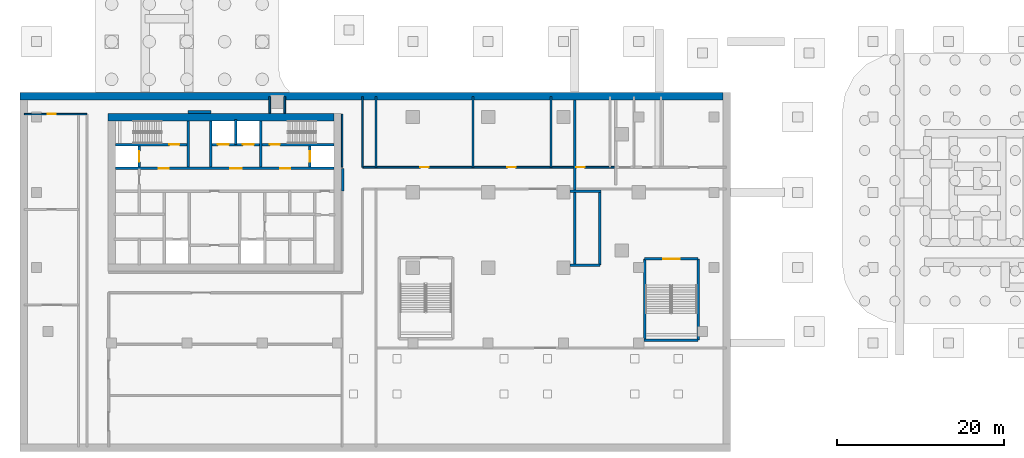
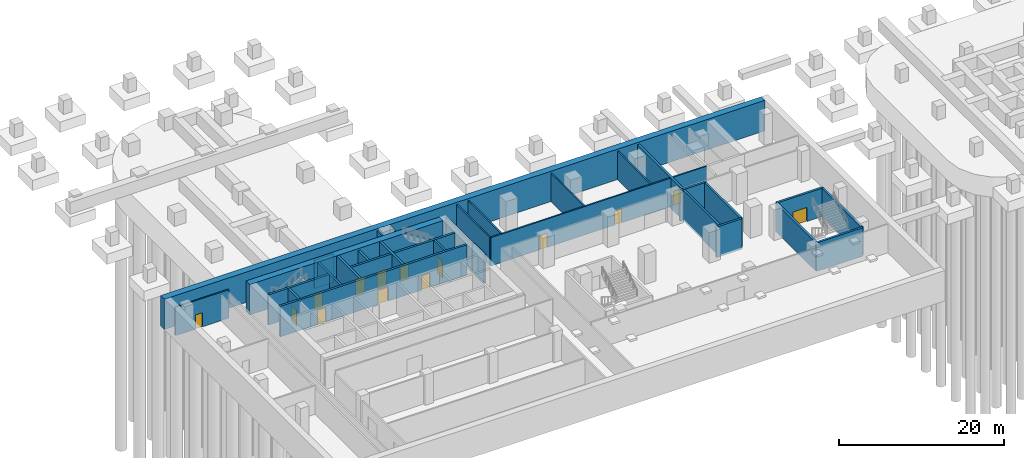
# One storey, part 7 of 14: 30 walls, 14 doors, 14 openings.
"""IFC4 building model written with IfcOpenShell, lengths in metres."""

from ifc_helpers import new_model, si_unit, direction, frame, frame_2d, origin, place, context, subcontext, project, spatial, rectangle, extrude, material, layer, layer_set, type_object, element, fill, save


model = new_model("IFC4")

# Units and contexts
model_context = context("Model", 3, precision=1e-05, world=origin(), true_north=direction((0.0, 1.0)))
body_context = subcontext(model_context, "Body", "Model", "MODEL_VIEW")
ifc_project = project(units=[si_unit("LENGTHUNIT", "METRE"), si_unit("AREAUNIT", "SQUARE_METRE"), si_unit("VOLUMEUNIT", "CUBIC_METRE"), si_unit("PLANEANGLEUNIT", "RADIAN"), si_unit("MASSUNIT", "GRAM", prefix="KILO")], contexts=[model_context])

# Site, building, storey
site_placement = place(None, origin())
site = spatial("IfcSite", under=ifc_project, at=site_placement, CompositionType="ELEMENT")
building_placement = place(site_placement, origin())
building = spatial("IfcBuilding", under=site, at=building_placement, Name="Ogive Portal Towers", CompositionType="ELEMENT")
storey_placement = place(building_placement, frame((0.0, 0.0, -4.5)))
storey = spatial("IfcBuildingStorey", under=building, at=storey_placement, Name="B1", CompositionType="ELEMENT", Elevation=-4.5)

# Wall, openings, doors
ifc_material_1 = material(Name="Concrete C60/75", Category="concrete")
ifc_layer_1 = layer(ifc_material_1, 0.300048828125)
ifc_layer_set_1 = layer_set([ifc_layer_1], Name="CORE WALL 300 C60")
wall_type_1 = type_object("IfcWallType", Name="CORE WALL 300 C60", PredefinedType="SHEAR", material=ifc_layer_set_1)
wall_1_placement = place(storey_placement, frame((31.949951171875, 33.35009765625, 0.0), z_axis=(0.0, 0.0, 1.0), x_axis=(1.0, 0.0, 0.0)))
wall_1 = element("IfcWall", 1, at=wall_1_placement, inside=storey, type_object=wall_type_1, Name="Core wall Y2 B1", PredefinedType="SHEAR", context=body_context, shape_type="SweptSolid", body=[
    extrude(rectangle(XDim=26.10009765625, YDim=0.300048828125, at=frame_2d((13.050048828125, 0.0))), origin(), (0.0, 0.0, 1.0), 4.5),
])
opening_1_placement = place(wall_1_placement, frame((13.699951171875, 0.0, 0.0)))
opening_1 = element("IfcOpeningElement", 2, at=opening_1_placement, cuts=wall_1, Name="Opening D101-001", PredefinedType="OPENING", context=body_context, shape_type="SweptSolid", body=[
    extrude(rectangle(XDim=1.39990234375, YDim=2.10009765625, at=frame_2d((0.699951171875, 1.050048828125))), frame((0.0, 0.16015625, 0.0), z_axis=(0.0, -1.0, 0.0), x_axis=(1.0, 0.0, 0.0)), (0.0, 0.0, 1.0), 0.320068359375),
])
opening_2_placement = place(wall_1_placement, frame((5.175048828125, 0.0, 0.0)))
opening_2 = element("IfcOpeningElement", 3, at=opening_2_placement, cuts=wall_1, Name="Opening D101-002", PredefinedType="OPENING", context=body_context, shape_type="SweptSolid", body=[
    extrude(rectangle(XDim=1.199951171875, YDim=2.10009765625, at=frame_2d((0.60009765625, 1.050048828125))), frame((0.0, 0.16015625, 0.0), z_axis=(0.0, -1.0, 0.0), x_axis=(1.0, 0.0, 0.0)), (0.0, 0.0, 1.0), 0.320068359375),
])
opening_3_placement = place(wall_1_placement, frame((19.72509765625, 0.0, 0.0)))
opening_3 = element("IfcOpeningElement", 4, at=opening_3_placement, cuts=wall_1, Name="Opening D101-003", PredefinedType="OPENING", context=body_context, shape_type="SweptSolid", body=[
    extrude(rectangle(XDim=1.199951171875, YDim=2.10009765625, at=frame_2d((0.60009765625, 1.050048828125))), frame((0.0, 0.16015625, 0.0), z_axis=(0.0, -1.0, 0.0), x_axis=(1.0, 0.0, 0.0)), (0.0, 0.0, 1.0), 0.320068359375),
])
ifc_material_2 = material(Name="Steel fire door", Category="steel")
door_type_1 = type_object("IfcDoorType", Name="DT-SWING-1200x2100-FD90S", OperationType="SINGLE_SWING_LEFT", PredefinedType="DOOR", material=ifc_material_2)
door_1_placement = place(opening_2_placement, origin())
door_1 = element("IfcDoor", 5, at=door_1_placement, inside=storey, type_object=door_type_1, Name="Door D101-002", OperationType="SINGLE_SWING_LEFT", OverallHeight=2.10009765625, OverallWidth=1.199951171875, PredefinedType="DOOR", context=body_context, shape_type="SweptSolid", body=[
    extrude(rectangle(XDim=1.199951171875, YDim=2.10009765625, at=frame_2d((0.60009765625, 1.050048828125))), frame((0.0, 0.02490234375, 0.0), z_axis=(0.0, -1.0, 0.0), x_axis=(1.0, 0.0, 0.0)), (0.0, 0.0, 1.0), 0.050048828125),
])
fill(opening_2, door_1)
door_2_placement = place(opening_3_placement, origin())
door_2 = element("IfcDoor", 6, at=door_2_placement, inside=storey, type_object=door_type_1, Name="Door D101-003", OperationType="SINGLE_SWING_RIGHT", OverallHeight=2.10009765625, OverallWidth=1.199951171875, PredefinedType="DOOR", context=body_context, shape_type="SweptSolid", body=[
    extrude(rectangle(XDim=1.199951171875, YDim=2.10009765625, at=frame_2d((0.60009765625, 1.050048828125))), frame((0.0, 0.02490234375, 0.0), z_axis=(0.0, -1.0, 0.0), x_axis=(1.0, 0.0, 0.0)), (0.0, 0.0, 1.0), 0.050048828125),
])
fill(opening_3, door_2)
door_type_2 = type_object("IfcDoorType", Name="DT-SWING-1400x2100-FD90S", OperationType="SINGLE_SWING_LEFT", PredefinedType="DOOR", material=ifc_material_2)
door_3_placement = place(opening_1_placement, origin())
door_3 = element("IfcDoor", 7, at=door_3_placement, inside=storey, type_object=door_type_2, Name="Door D101-001", OperationType="SINGLE_SWING_RIGHT", OverallHeight=2.10009765625, OverallWidth=1.39990234375, PredefinedType="DOOR", context=body_context, shape_type="SweptSolid", body=[
    extrude(rectangle(XDim=1.39990234375, YDim=2.10009765625, at=frame_2d((0.699951171875, 1.050048828125))), frame((0.0, 0.02490234375, 0.0), z_axis=(0.0, -1.0, 0.0), x_axis=(1.0, 0.0, 0.0)), (0.0, 0.0, 1.0), 0.050048828125),
])
fill(opening_1, door_3)

# Wall, opening, door
wall_2_placement = place(storey_placement, frame((31.949951171875, 36.199951171875, 0.0), z_axis=(0.0, 0.0, 1.0), x_axis=(1.0, 0.0, 0.0)))
wall_2 = element("IfcWall", 8, at=wall_2_placement, inside=storey, type_object=wall_type_1, Name="Core wall Y3a B1", PredefinedType="SHEAR", context=body_context, shape_type="SweptSolid", body=[
    extrude(rectangle(XDim=8.550048828125, YDim=0.300048828125, at=frame_2d((4.27490234375, 0.0))), origin(), (0.0, 0.0, 1.0), 4.5),
])
opening_4_placement = place(wall_2_placement, frame((6.449951171875, 0.0, 0.0)))
opening_4 = element("IfcOpeningElement", 9, at=opening_4_placement, cuts=wall_2, Name="Opening D101-004", PredefinedType="OPENING", context=body_context, shape_type="SweptSolid", body=[
    extrude(rectangle(XDim=1.199951171875, YDim=2.10009765625, at=frame_2d((0.60009765625, 1.050048828125))), frame((0.0, 0.16015625, 0.0), z_axis=(0.0, -1.0, 0.0), x_axis=(1.0, 0.0, 0.0)), (0.0, 0.0, 1.0), 0.320068359375),
])
door_4_placement = place(opening_4_placement, origin())
door_4 = element("IfcDoor", 10, at=door_4_placement, inside=storey, type_object=door_type_1, Name="Door D101-004", OperationType="SINGLE_SWING_RIGHT", OverallHeight=2.10009765625, OverallWidth=1.199951171875, PredefinedType="DOOR", context=body_context, shape_type="SweptSolid", body=[
    extrude(rectangle(XDim=1.199951171875, YDim=2.10009765625, at=frame_2d((0.60009765625, 1.050048828125))), frame((0.0, 0.02490234375, 0.0), z_axis=(0.0, -1.0, 0.0), x_axis=(1.0, 0.0, 0.0)), (0.0, 0.0, 1.0), 0.050048828125),
])
fill(opening_4, door_4)

# Wall, openings, doors
wall_3_placement = place(storey_placement, frame((43.5, 36.199951171875, 0.0), z_axis=(0.0, 0.0, 1.0), x_axis=(1.0, 0.0, 0.0)))
wall_3 = element("IfcWall", 11, at=wall_3_placement, inside=storey, type_object=wall_type_1, Name="Core wall Y3b B1", PredefinedType="SHEAR", context=body_context, shape_type="SweptSolid", body=[
    extrude(rectangle(XDim=14.550048828125, YDim=0.300048828125, at=frame_2d((7.27490234375, 0.0))), origin(), (0.0, 0.0, 1.0), 4.5),
])
opening_5_placement = place(wall_3_placement, frame((6.89990234375, 0.0, 0.0)))
opening_5 = element("IfcOpeningElement", 12, at=opening_5_placement, cuts=wall_3, Name="Opening D101-005", PredefinedType="OPENING", context=body_context, shape_type="SweptSolid", body=[
    extrude(rectangle(XDim=1.199951171875, YDim=2.10009765625, at=frame_2d((0.60009765625, 1.050048828125))), frame((0.0, 0.16015625, 0.0), z_axis=(0.0, -1.0, 0.0), x_axis=(1.0, 0.0, 0.0)), (0.0, 0.0, 1.0), 0.320068359375),
])
opening_6_placement = place(wall_3_placement, frame((0.699951171875, 0.0, 0.0)))
opening_6 = element("IfcOpeningElement", 13, at=opening_6_placement, cuts=wall_3, Name="Opening D101-010", PredefinedType="OPENING", context=body_context, shape_type="SweptSolid", body=[
    extrude(rectangle(XDim=1.300048828125, YDim=2.39990234375, at=frame_2d((0.64990234375, 1.199951171875))), frame((0.0, 0.16015625, 0.0), z_axis=(0.0, -1.0, 0.0), x_axis=(1.0, 0.0, 0.0)), (0.0, 0.0, 1.0), 0.320068359375),
])
opening_7_placement = place(wall_3_placement, frame((3.699951171875, 0.0, 0.0)))
opening_7 = element("IfcOpeningElement", 14, at=opening_7_placement, cuts=wall_3, Name="Opening D101-011", PredefinedType="OPENING", context=body_context, shape_type="SweptSolid", body=[
    extrude(rectangle(XDim=1.300048828125, YDim=2.39990234375, at=frame_2d((0.64990234375, 1.199951171875))), frame((0.0, 0.16015625, 0.0), z_axis=(0.0, -1.0, 0.0), x_axis=(1.0, 0.0, 0.0)), (0.0, 0.0, 1.0), 0.320068359375),
])
ifc_material_3 = material(Name="Stainless steel", Category="steel")
door_type_3 = type_object("IfcDoorType", Name="DT-LD-1300x2400", OperationType="SLIDING_TO_LEFT", PredefinedType="DOOR", material=ifc_material_3)
door_5_placement = place(opening_6_placement, origin())
door_5 = element("IfcDoor", 15, at=door_5_placement, inside=storey, type_object=door_type_3, Name="Door D101-010", OperationType="SLIDING_TO_LEFT", OverallHeight=2.39990234375, OverallWidth=1.300048828125, PredefinedType="DOOR", context=body_context, shape_type="SweptSolid", body=[
    extrude(rectangle(XDim=1.300048828125, YDim=2.39990234375, at=frame_2d((0.64990234375, 1.199951171875))), frame((0.0, 0.02490234375, 0.0), z_axis=(0.0, -1.0, 0.0), x_axis=(1.0, 0.0, 0.0)), (0.0, 0.0, 1.0), 0.050048828125),
])
fill(opening_6, door_5)
door_6_placement = place(opening_7_placement, origin())
door_6 = element("IfcDoor", 16, at=door_6_placement, inside=storey, type_object=door_type_3, Name="Door D101-011", OperationType="SLIDING_TO_LEFT", OverallHeight=2.39990234375, OverallWidth=1.300048828125, PredefinedType="DOOR", context=body_context, shape_type="SweptSolid", body=[
    extrude(rectangle(XDim=1.300048828125, YDim=2.39990234375, at=frame_2d((0.64990234375, 1.199951171875))), frame((0.0, 0.02490234375, 0.0), z_axis=(0.0, -1.0, 0.0), x_axis=(1.0, 0.0, 0.0)), (0.0, 0.0, 1.0), 0.050048828125),
])
fill(opening_7, door_6)
door_7_placement = place(opening_5_placement, origin())
door_7 = element("IfcDoor", 17, at=door_7_placement, inside=storey, type_object=door_type_1, Name="Door D101-005", OperationType="SINGLE_SWING_LEFT", OverallHeight=2.10009765625, OverallWidth=1.199951171875, PredefinedType="DOOR", context=body_context, shape_type="SweptSolid", body=[
    extrude(rectangle(XDim=1.199951171875, YDim=2.10009765625, at=frame_2d((0.60009765625, 1.050048828125))), frame((0.0, 0.02490234375, 0.0), z_axis=(0.0, -1.0, 0.0), x_axis=(1.0, 0.0, 0.0)), (0.0, 0.0, 1.0), 0.050048828125),
])
fill(opening_5, door_7)

# Walls
for number, where, z_axis, x_axis, name in (
    (18, (40.64990234375, 33.5, 0.0), (0.0, 0.0, 1.0), (0.0, 1.0, 0.0), "Core wall X6 B1"),
    (19, (43.35009765625, 33.5, 0.0), (0.0, 0.0, 1.0), (0.0, 1.0, 0.0), "Core wall X7 B1"),
):
    element("IfcWall", number, at=place(storey_placement, frame(where, z_axis=z_axis, x_axis=x_axis)), inside=storey, type_object=wall_type_1, Name=name, PredefinedType="SHEAR", context=body_context, shape_type="SweptSolid", body=[
        extrude(rectangle(XDim=5.550048828125, YDim=0.300048828125, at=frame_2d((2.77490234375, 0.0))), origin(), (0.0, 0.0, 1.0), 4.5),
    ])

# Wall, opening, door
wall_4_placement = place(storey_placement, frame((34.800048828125, 33.5, 0.0), z_axis=(0.0, 0.0, 1.0), x_axis=(0.0, 1.0, 0.0)))
wall_4 = element("IfcWall", 20, at=wall_4_placement, inside=storey, type_object=wall_type_1, Name="Core wall X8 B1", PredefinedType="SHEAR", context=body_context, shape_type="SweptSolid", body=[
    extrude(rectangle(XDim=2.550048828125, YDim=0.300048828125, at=frame_2d((1.27490234375, 0.0))), origin(), (0.0, 0.0, 1.0), 4.5),
])
opening_8_placement = place(wall_4_placement, frame((0.625, 0.0, 0.0)))
opening_8 = element("IfcOpeningElement", 21, at=opening_8_placement, cuts=wall_4, Name="Opening D101-012", PredefinedType="OPENING", context=body_context, shape_type="SweptSolid", body=[
    extrude(rectangle(XDim=1.300048828125, YDim=2.39990234375, at=frame_2d((0.64990234375, 1.199951171875))), frame((0.0, 0.16015625, 0.0), z_axis=(0.0, -1.0, 0.0), x_axis=(1.0, 0.0, 0.0)), (0.0, 0.0, 1.0), 0.320068359375),
])
door_8_placement = place(opening_8_placement, origin())
door_8 = element("IfcDoor", 22, at=door_8_placement, inside=storey, type_object=door_type_3, Name="Door D101-012", OperationType="SLIDING_TO_LEFT", OverallHeight=2.39990234375, OverallWidth=1.300048828125, PredefinedType="DOOR", context=body_context, shape_type="SweptSolid", body=[
    extrude(rectangle(XDim=1.300048828125, YDim=2.39990234375, at=frame_2d((0.64990234375, 1.199951171875))), frame((0.0, 0.02490234375, 0.0), z_axis=(0.0, -1.0, 0.0), x_axis=(1.0, 0.0, 0.0)), (0.0, 0.0, 1.0), 0.050048828125),
])
fill(opening_8, door_8)

# Wall
wall_5_placement = place(storey_placement, frame((49.35009765625, 33.5, 0.0), z_axis=(0.0, 0.0, 1.0), x_axis=(0.0, 1.0, 0.0)))
element("IfcWall", 23, at=wall_5_placement, inside=storey, type_object=wall_type_1, Name="Core wall X9 B1", PredefinedType="SHEAR", context=body_context, shape_type="SweptSolid", body=[
    extrude(rectangle(XDim=5.550048828125, YDim=0.300048828125, at=frame_2d((2.77490234375, 0.0))), origin(), (0.0, 0.0, 1.0), 4.5),
])

# Wall, opening, door
wall_6_placement = place(storey_placement, frame((55.199951171875, 33.5, 0.0), z_axis=(0.0, 0.0, 1.0), x_axis=(0.0, 1.0, 0.0)))
wall_6 = element("IfcWall", 24, at=wall_6_placement, inside=storey, type_object=wall_type_1, Name="Core wall X10 B1", PredefinedType="SHEAR", context=body_context, shape_type="SweptSolid", body=[
    extrude(rectangle(XDim=2.550048828125, YDim=0.300048828125, at=frame_2d((1.27490234375, 0.0))), origin(), (0.0, 0.0, 1.0), 4.5),
])
opening_9_placement = place(wall_6_placement, frame((0.625, 0.0, 0.0)))
opening_9 = element("IfcOpeningElement", 25, at=opening_9_placement, cuts=wall_6, Name="Opening D101-013", PredefinedType="OPENING", context=body_context, shape_type="SweptSolid", body=[
    extrude(rectangle(XDim=1.300048828125, YDim=2.39990234375, at=frame_2d((0.64990234375, 1.199951171875))), frame((0.0, 0.16015625, 0.0), z_axis=(0.0, -1.0, 0.0), x_axis=(1.0, 0.0, 0.0)), (0.0, 0.0, 1.0), 0.320068359375),
])
door_9_placement = place(opening_9_placement, origin())
door_9 = element("IfcDoor", 26, at=door_9_placement, inside=storey, type_object=door_type_3, Name="Door D101-013", OperationType="SLIDING_TO_LEFT", OverallHeight=2.39990234375, OverallWidth=1.300048828125, PredefinedType="DOOR", context=body_context, shape_type="SweptSolid", body=[
    extrude(rectangle(XDim=1.300048828125, YDim=2.39990234375, at=frame_2d((0.64990234375, 1.199951171875))), frame((0.0, 0.02490234375, 0.0), z_axis=(0.0, -1.0, 0.0), x_axis=(1.0, 0.0, 0.0)), (0.0, 0.0, 1.0), 0.050048828125),
])
fill(opening_9, door_9)

# Walls
ifc_layer_2 = layer(ifc_material_1, 0.89990234375)
ifc_layer_set_2 = layer_set([ifc_layer_2], Name="CORE WALL 900 C60")
wall_type_2 = type_object("IfcWallType", Name="CORE WALL 900 C60", PredefinedType="SHEAR", material=ifc_layer_set_2)
wall_7_placement = place(storey_placement, frame((31.050048828125, 39.5, 0.0), z_axis=(0.0, 0.0, 1.0), x_axis=(1.0, 0.0, 0.0)))
element("IfcWall", 27, at=wall_7_placement, inside=storey, type_object=wall_type_2, Name="Core wall N B1", PredefinedType="SHEAR", context=body_context, shape_type="SweptSolid", body=[
    extrude(rectangle(XDim=27.0, YDim=0.89990234375, at=frame_2d((13.5, 0.0))), origin(), (0.0, 0.0, 1.0), 4.5),
])
ifc_material_4 = material(Name="Concrete C50/60", Category="concrete")
ifc_layer_3 = layer(ifc_material_4, 0.300048828125)
ifc_layer_set_3 = layer_set([ifc_layer_3], Name="STAIR WALL 300 C50")
wall_type_3 = type_object("IfcWallType", Name="STAIR WALL 300 C50", PredefinedType="SHEAR", material=ifc_layer_set_3)
wall_8_placement = place(storey_placement, frame((95.10009765625, 12.85009765625, 0.0), z_axis=(0.0, 0.0, 1.0), x_axis=(1.0, 0.0, 0.0)))
element("IfcWall", 28, at=wall_8_placement, inside=storey, type_object=wall_type_3, Name="Stair wall ST-S2 B1", PredefinedType="SHEAR", context=body_context, shape_type="SweptSolid", body=[
    extrude(rectangle(XDim=6.5, YDim=0.300048828125, at=frame_2d((3.25, 0.0))), origin(), (0.0, 0.0, 1.0), 4.199951171875),
])
for number, where, z_axis, x_axis, name in (
    (29, (101.60009765625, 12.85009765625, 0.0), (0.0, 0.0, 1.0), (0.0, 1.0, 0.0), "Stair wall ST-S2 B1"),
    (30, (95.199951171875, 12.85009765625, 0.0), (0.0, 0.0, 1.0), (0.0, 1.0, 0.0), "Stair wall ST-S2 B1"),
):
    element("IfcWall", number, at=place(storey_placement, frame(where, z_axis=z_axis, x_axis=x_axis)), inside=storey, type_object=wall_type_3, Name=name, PredefinedType="SHEAR", context=body_context, shape_type="SweptSolid", body=[
        extrude(rectangle(XDim=9.699951171875, YDim=0.300048828125, at=frame_2d((4.85009765625, 0.0))), origin(), (0.0, 0.0, 1.0), 4.199951171875),
    ])
wall_9_placement = place(storey_placement, frame((86.300048828125, 21.800048828125, -0.300048828125), z_axis=(0.0, 0.0, 1.0), x_axis=(1.0, 0.0, 0.0)))
element("IfcWall", 31, at=wall_9_placement, inside=storey, type_object=wall_type_3, Name="Stair wall support ST-A4 B1", PredefinedType="SHEAR", context=body_context, shape_type="SweptSolid", body=[
    extrude(rectangle(XDim=3.550048828125, YDim=0.300048828125, at=frame_2d((1.77490234375, 0.0))), origin(), (0.0, 0.0, 1.0), 4.5),
])
wall_10_placement = place(storey_placement, frame((86.300048828125, 30.64990234375, -0.300048828125), z_axis=(0.0, 0.0, 1.0), x_axis=(1.0, 0.0, 0.0)))
element("IfcWall", 32, at=wall_10_placement, inside=storey, type_object=wall_type_3, Name="Stair wall support ST-A4 B1", PredefinedType="SHEAR", context=body_context, shape_type="SweptSolid", body=[
    extrude(rectangle(XDim=3.669921875, YDim=0.300048828125, at=frame_2d((1.8349609375, 0.0))), origin(), (0.0, 0.0, 1.0), 4.5),
])
wall_11_placement = place(storey_placement, frame((86.85009765625, 21.800048828125, -0.300048828125), z_axis=(0.0, 0.0, 1.0), x_axis=(0.0, 1.0, 0.0)))
element("IfcWall", 33, at=wall_11_placement, inside=storey, type_object=wall_type_3, Name="Stair wall support ST-A4 B1", PredefinedType="SHEAR", context=body_context, shape_type="SweptSolid", body=[
    extrude(rectangle(XDim=19.72998046875, YDim=0.300048828125, at=frame_2d((9.864990234375, 0.0))), origin(), (0.0, 0.0, 1.0), 4.5),
])
wall_12_placement = place(storey_placement, frame((89.85009765625, 21.800048828125, -0.300048828125), z_axis=(0.0, 0.0, 1.0), x_axis=(0.0, 1.0, 0.0)))
element("IfcWall", 34, at=wall_12_placement, inside=storey, type_object=wall_type_3, Name="Stair wall support ST-A4 B1", PredefinedType="SHEAR", context=body_context, shape_type="SweptSolid", body=[
    extrude(rectangle(XDim=8.919921875, YDim=0.300048828125, at=frame_2d((4.4599609375, 0.0))), origin(), (0.0, 0.0, 1.0), 4.5),
])
ifc_material_5 = material(Name="Concrete C40/50", Category="concrete")
ifc_layer_4 = layer(ifc_material_5, 0.89990234375)
ifc_layer_set_4 = layer_set([ifc_layer_4], Name="STATION WALL 900 C40")
wall_type_4 = type_object("IfcWallType", Name="STATION WALL 900 C40", PredefinedType="SOLIDWALL", material=ifc_layer_set_4)
wall_13_placement = place(storey_placement, frame((104.550048828125, 42.0, 0.0), z_axis=(0.0, 0.0, 1.0), x_axis=(-1.0, 0.0, 0.0)))
element("IfcWall", 35, at=wall_13_placement, inside=storey, type_object=wall_type_4, Name="Station wall B1", PredefinedType="SOLIDWALL", context=body_context, shape_type="SweptSolid", body=[
    extrude(rectangle(XDim=84.0, YDim=0.89990234375, at=frame_2d((42.0, 0.0))), origin(), (0.0, 0.0, 1.0), 4.5),
])

# Wall, openings, doors
ifc_material_6 = material(Name="Gypsum board partition on steel studs", Category="steel")
ifc_layer_5 = layer(ifc_material_6, 0.199951171875)
ifc_layer_set_5 = layer_set([ifc_layer_5], Name="WT-PART-200-EI 60")
wall_type_5 = type_object("IfcWallType", Name="WT-PART-200-EI 60", PredefinedType="PARTITIONING", material=ifc_layer_set_5)
wall_14_placement = place(storey_placement, frame((61.5, 33.5, 0.0), z_axis=(0.0, 0.0, 1.0), x_axis=(1.0, 0.0, 0.0)))
wall_14 = element("IfcWall", 36, at=wall_14_placement, inside=storey, type_object=wall_type_5, Name="Wall B1:w012", PredefinedType="PARTITIONING", context=body_context, shape_type="SweptSolid", body=[
    extrude(rectangle(XDim=30.25, YDim=0.199951171875, at=frame_2d((15.125, 0.0))), origin(), (0.0, 0.0, 1.0), 4.199951171875),
])
opening_10_placement = place(wall_14_placement, frame((6.883056640625, 0.0, 0.0)))
opening_10 = element("IfcOpeningElement", 37, at=opening_10_placement, cuts=wall_14, Name="Opening PB1-006", PredefinedType="OPENING", context=body_context, shape_type="SweptSolid", body=[
    extrude(rectangle(XDim=1.0, YDim=2.10009765625, at=frame_2d((0.5, 1.050048828125))), frame((0.0, 0.10986328125, 0.0), z_axis=(0.0, -1.0, 0.0), x_axis=(1.0, 0.0, 0.0)), (0.0, 0.0, 1.0), 0.219970703125),
])
opening_11_placement = place(wall_14_placement, frame((17.31005859375, 0.0, 0.0)))
opening_11 = element("IfcOpeningElement", 38, at=opening_11_placement, cuts=wall_14, Name="Opening PB1-007", PredefinedType="OPENING", context=body_context, shape_type="SweptSolid", body=[
    extrude(rectangle(XDim=1.0, YDim=2.10009765625, at=frame_2d((0.5, 1.050048828125))), frame((0.0, 0.10986328125, 0.0), z_axis=(0.0, -1.0, 0.0), x_axis=(1.0, 0.0, 0.0)), (0.0, 0.0, 1.0), 0.219970703125),
])
opening_12_placement = place(wall_14_placement, frame((25.5439453125, 0.0, 0.0)))
opening_12 = element("IfcOpeningElement", 39, at=opening_12_placement, cuts=wall_14, Name="Opening PB1-008", PredefinedType="OPENING", context=body_context, shape_type="SweptSolid", body=[
    extrude(rectangle(XDim=1.0, YDim=2.10009765625, at=frame_2d((0.5, 1.050048828125))), frame((0.0, 0.10986328125, 0.0), z_axis=(0.0, -1.0, 0.0), x_axis=(1.0, 0.0, 0.0)), (0.0, 0.0, 1.0), 0.219970703125),
])
door_type_4 = type_object("IfcDoorType", Name="DT-SWING-1000x2100-FD60S", OperationType="SINGLE_SWING_LEFT", PredefinedType="DOOR", material=ifc_material_2)
door_10_placement = place(opening_10_placement, origin())
door_10 = element("IfcDoor", 40, at=door_10_placement, inside=storey, type_object=door_type_4, Name="Door PB1-006", OperationType="SINGLE_SWING_RIGHT", OverallHeight=2.10009765625, OverallWidth=1.0, PredefinedType="DOOR", context=body_context, shape_type="SweptSolid", body=[
    extrude(rectangle(XDim=1.0, YDim=2.10009765625, at=frame_2d((0.5, 1.050048828125))), frame((0.0, 0.02490234375, 0.0), z_axis=(0.0, -1.0, 0.0), x_axis=(1.0, 0.0, 0.0)), (0.0, 0.0, 1.0), 0.050048828125),
])
fill(opening_10, door_10)
door_11_placement = place(opening_11_placement, origin())
door_11 = element("IfcDoor", 41, at=door_11_placement, inside=storey, type_object=door_type_4, Name="Door PB1-007", OperationType="SINGLE_SWING_LEFT", OverallHeight=2.10009765625, OverallWidth=1.0, PredefinedType="DOOR", context=body_context, shape_type="SweptSolid", body=[
    extrude(rectangle(XDim=1.0, YDim=2.10009765625, at=frame_2d((0.5, 1.050048828125))), frame((0.0, 0.02490234375, 0.0), z_axis=(0.0, -1.0, 0.0), x_axis=(1.0, 0.0, 0.0)), (0.0, 0.0, 1.0), 0.050048828125),
])
fill(opening_11, door_11)
door_12_placement = place(opening_12_placement, origin())
door_12 = element("IfcDoor", 42, at=door_12_placement, inside=storey, type_object=door_type_4, Name="Door PB1-008", OperationType="SINGLE_SWING_RIGHT", OverallHeight=2.10009765625, OverallWidth=1.0, PredefinedType="DOOR", context=body_context, shape_type="SweptSolid", body=[
    extrude(rectangle(XDim=1.0, YDim=2.10009765625, at=frame_2d((0.5, 1.050048828125))), frame((0.0, 0.02490234375, 0.0), z_axis=(0.0, -1.0, 0.0), x_axis=(1.0, 0.0, 0.0)), (0.0, 0.0, 1.0), 0.050048828125),
])
fill(opening_12, door_12)

# Wall, opening, door
wall_15_placement = place(storey_placement, frame((21.070068359375, 39.85009765625, 0.0), z_axis=(0.0, 0.0, 1.0), x_axis=(1.0, 0.0, 0.0)))
wall_15 = element("IfcWall", 43, at=wall_15_placement, inside=storey, type_object=wall_type_5, Name="Wall B1:w013", PredefinedType="PARTITIONING", context=body_context, shape_type="SweptSolid", body=[
    extrude(rectangle(XDim=7.47998046875, YDim=0.199951171875, at=frame_2d((3.739990234375, 0.0))), origin(), (0.0, 0.0, 1.0), 4.199951171875),
])
opening_13_placement = place(wall_15_placement, frame((2.780029296875, 0.0, 0.0)))
opening_13 = element("IfcOpeningElement", 44, at=opening_13_placement, cuts=wall_15, Name="Opening PB1-011", PredefinedType="OPENING", context=body_context, shape_type="SweptSolid", body=[
    extrude(rectangle(XDim=1.0, YDim=2.10009765625, at=frame_2d((0.5, 1.050048828125))), frame((0.0, 0.10986328125, 0.0), z_axis=(0.0, -1.0, 0.0), x_axis=(1.0, 0.0, 0.0)), (0.0, 0.0, 1.0), 0.219970703125),
])
door_13_placement = place(opening_13_placement, origin())
door_13 = element("IfcDoor", 45, at=door_13_placement, inside=storey, type_object=door_type_4, Name="Door PB1-011", OperationType="SINGLE_SWING_LEFT", OverallHeight=2.10009765625, OverallWidth=1.0, PredefinedType="DOOR", context=body_context, shape_type="SweptSolid", body=[
    extrude(rectangle(XDim=1.0, YDim=2.10009765625, at=frame_2d((0.5, 1.050048828125))), frame((0.0, 0.02490234375, 0.0), z_axis=(0.0, -1.0, 0.0), x_axis=(1.0, 0.0, 0.0)), (0.0, 0.0, 1.0), 0.050048828125),
])
fill(opening_13, door_13)

# Walls
for number, where, z_axis, x_axis, name in (
    (46, (50.39990234375, 39.969970703125, 0.0), (0.0, 0.0, 1.0), (0.0, 1.0, 0.0), "Wall B1:w023"),
    (47, (52.199951171875, 39.969970703125, 0.0), (0.0, 0.0, 1.0), (0.0, 1.0, 0.0), "Wall B1:w024"),
):
    element("IfcWall", number, at=place(storey_placement, frame(where, z_axis=z_axis, x_axis=x_axis)), inside=storey, type_object=wall_type_5, Name=name, PredefinedType="PARTITIONING", context=body_context, shape_type="SweptSolid", body=[
        extrude(rectangle(XDim=1.9599609375, YDim=0.199951171875, at=frame_2d((0.97998046875, 0.0))), origin(), (0.0, 0.0, 1.0), 4.199951171875),
    ])
wall_16_placement = place(storey_placement, frame((59.050048828125, 33.5, 0.0), z_axis=(0.0, 0.0, 1.0), x_axis=(0.0, 1.0, 0.0)))
element("IfcWall", 48, at=wall_16_placement, inside=storey, type_object=wall_type_5, Name="Wall B1:w027", PredefinedType="PARTITIONING", context=body_context, shape_type="SweptSolid", body=[
    extrude(rectangle(XDim=6.35009765625, YDim=0.199951171875, at=frame_2d((3.175048828125, 0.0))), origin(), (0.0, 0.0, 1.0), 4.199951171875),
])
for number, where, z_axis, x_axis, name in (
    (49, (61.5, 33.5, 0.0), (0.0, 0.0, 1.0), (0.0, 1.0, 0.0), "Wall B1:w029"),
    (50, (63.10009765625, 33.5, 0.0), (0.0, 0.0, 1.0), (0.0, 1.0, 0.0), "Wall B1:w031"),
    (51, (74.697021484375, 33.5, 0.0), (0.0, 0.0, 1.0), (0.0, 1.0, 0.0), "Wall B1:w034"),
    (52, (84.014892578125, 33.5, 0.0), (0.0, 0.0, 1.0), (0.0, 1.0, 0.0), "Wall B1:w035"),
):
    element("IfcWall", number, at=place(storey_placement, frame(where, z_axis=z_axis, x_axis=x_axis)), inside=storey, type_object=wall_type_5, Name=name, PredefinedType="PARTITIONING", context=body_context, shape_type="SweptSolid", body=[
        extrude(rectangle(XDim=8.429931640625, YDim=0.199951171875, at=frame_2d((4.21484375, 0.0))), origin(), (0.0, 0.0, 1.0), 4.199951171875),
    ])
ifc_layer_6 = layer(ifc_material_6, 0.300048828125)
ifc_layer_set_6 = layer_set([ifc_layer_6], Name="WT-PART-300")
wall_type_6 = type_object("IfcWallType", Name="WT-PART-300", PredefinedType="PARTITIONING", material=ifc_layer_set_6)
for number, where, z_axis, x_axis, name in (
    (53, (40.64990234375, 40.10009765625, 0.0), (0.0, 0.0, 1.0), (1.0, 0.0, 0.0), "Wall pw:009:B1"),
    (54, (59.10009765625, 30.64990234375, 0.0), (0.0, 0.0, 1.0), (0.0, 1.0, 0.0), "Wall pw:017:B1"),
):
    element("IfcWall", number, at=place(storey_placement, frame(where, z_axis=z_axis, x_axis=x_axis)), inside=storey, type_object=wall_type_6, Name=name, PredefinedType="PARTITIONING", context=body_context, shape_type="SweptSolid", body=[
        extrude(rectangle(XDim=2.7001953125, YDim=0.300048828125, at=frame_2d((1.35009765625, 0.0))), origin(), (0.0, 0.0, 1.0), 4.199951171875),
    ])
ifc_layer_7 = layer(ifc_material_5, 0.300048828125)
ifc_layer_set_7 = layer_set([ifc_layer_7], Name="WT-SHAFT-300")
wall_type_7 = type_object("IfcWallType", Name="WT-SHAFT-300", PredefinedType="SOLIDWALL", material=ifc_layer_set_7)
wall_17_placement = place(storey_placement, frame((46.35009765625, 36.199951171875, 0.0), z_axis=(0.0, 0.0, 1.0), x_axis=(0.0, 1.0, 0.0)))
element("IfcWall", 55, at=wall_17_placement, inside=storey, type_object=wall_type_7, Name="Wall pw:014:B1", PredefinedType="SOLIDWALL", context=body_context, shape_type="SweptSolid", body=[
    extrude(rectangle(XDim=3.0, YDim=0.300048828125, at=frame_2d((1.5, 0.0))), origin(), (0.0, 0.0, 1.0), 4.199951171875),
])

# Wall, opening, door
wall_18_placement = place(storey_placement, frame((95.199951171875, 22.550048828125, 0.0), z_axis=(0.0, 0.0, 1.0), x_axis=(1.0, 0.0, 0.0)))
wall_18 = element("IfcWall", 56, at=wall_18_placement, inside=storey, type_object=wall_type_7, Name="Wall B1:w008", PredefinedType="SOLIDWALL", context=body_context, shape_type="SweptSolid", body=[
    extrude(rectangle(XDim=6.400146484375, YDim=0.300048828125, at=frame_2d((3.2001953125, 0.0))), origin(), (0.0, 0.0, 1.0), 4.199951171875),
])
opening_14_placement = place(wall_18_placement, frame((2.199951171875, 0.0, 0.0)))
opening_14 = element("IfcOpeningElement", 57, at=opening_14_placement, cuts=wall_18, Name="Opening PB1-002", PredefinedType="OPENING", context=body_context, shape_type="SweptSolid", body=[
    extrude(rectangle(XDim=2.0, YDim=2.10009765625, at=frame_2d((1.0, 1.050048828125))), frame((0.0, 0.16015625, 0.0), z_axis=(0.0, -1.0, 0.0), x_axis=(1.0, 0.0, 0.0)), (0.0, 0.0, 1.0), 0.320068359375),
])
door_type_5 = type_object("IfcDoorType", Name="DT-SWING-2000x2100-FD90S", OperationType="SINGLE_SWING_LEFT", PredefinedType="DOOR", material=ifc_material_2)
door_14_placement = place(opening_14_placement, origin())
door_14 = element("IfcDoor", 58, at=door_14_placement, inside=storey, type_object=door_type_5, Name="Door PB1-002", OperationType="SINGLE_SWING_RIGHT", OverallHeight=2.10009765625, OverallWidth=2.0, PredefinedType="DOOR", context=body_context, shape_type="SweptSolid", body=[
    extrude(rectangle(XDim=2.0, YDim=2.10009765625, at=frame_2d((1.0, 1.050048828125))), frame((0.0, 0.02490234375, 0.0), z_axis=(0.0, -1.0, 0.0), x_axis=(1.0, 0.0, 0.0)), (0.0, 0.0, 1.0), 0.050048828125),
])
fill(opening_14, door_14)

save(model, "model.ifc")
